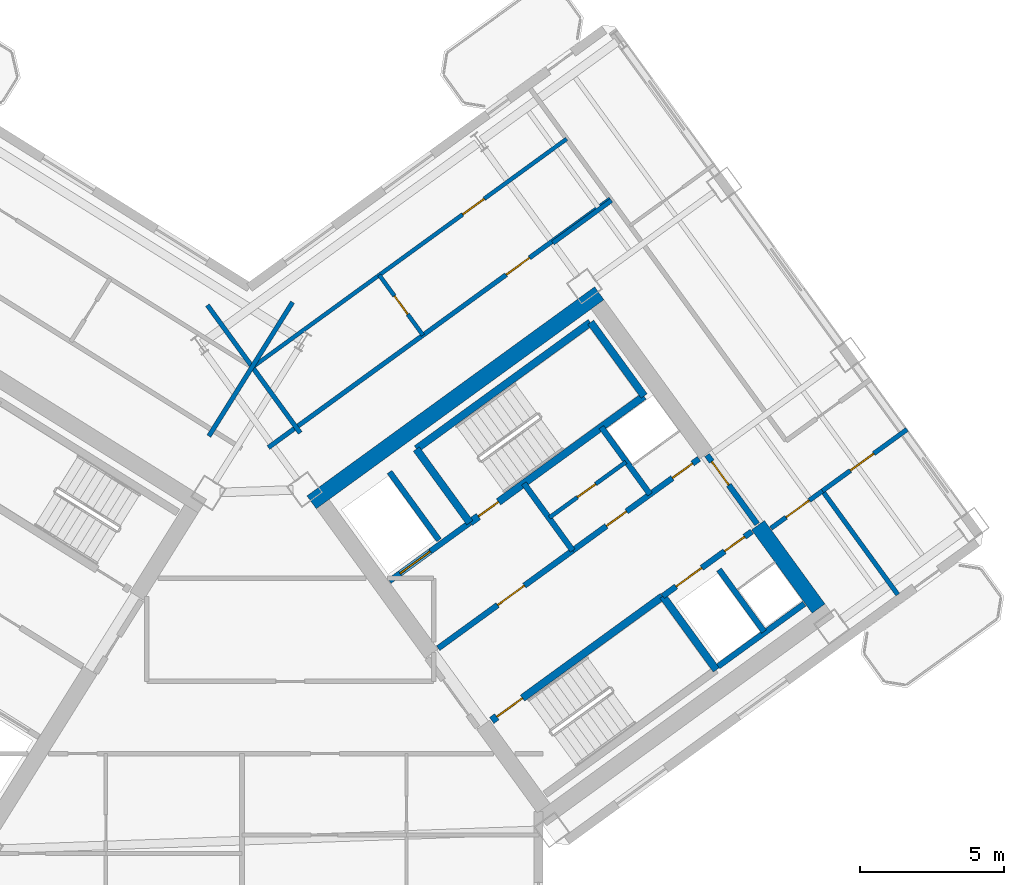
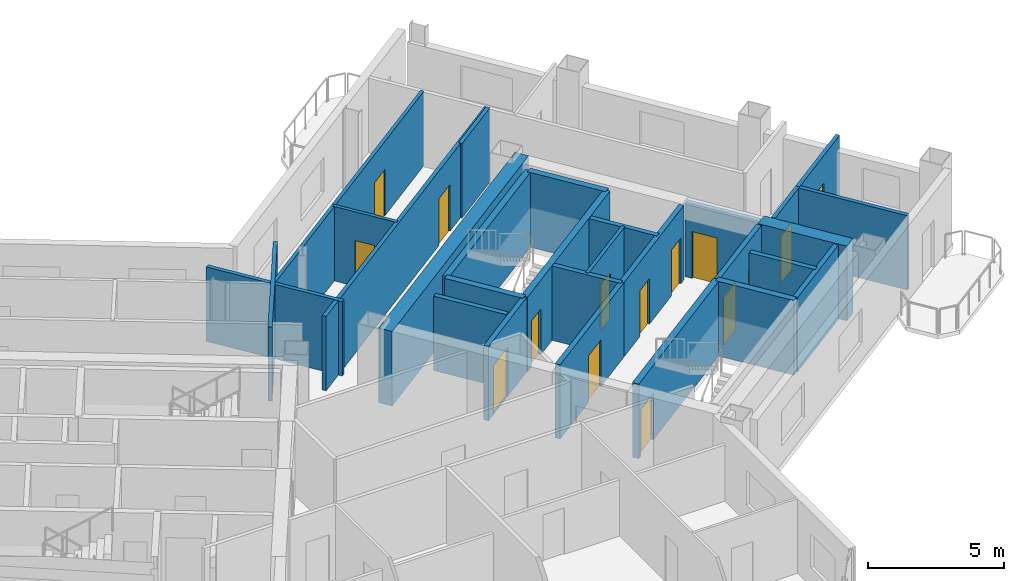
# One storey, part 14 of 20: 28 walls, 15 doors, 15 openings.
"""IFC4 building model written with IfcOpenShell, lengths in metres."""

from ifc_helpers import new_model, si_unit, direction, frame, frame_2d, origin, place, context, subcontext, project, spatial, rectangle, extrude, source, transform, mapped, material, layer, layer_set, type_object, element, fill, save


model = new_model("IFC4")

# Units and contexts
model_context = context("Model", 3, precision=1e-05, world=origin(), true_north=direction((0.0, 1.0)))
body_context = subcontext(model_context, "Body", "Model", "MODEL_VIEW")
ifc_project = project(units=[si_unit("LENGTHUNIT", "METRE"), si_unit("AREAUNIT", "SQUARE_METRE"), si_unit("VOLUMEUNIT", "CUBIC_METRE"), si_unit("PLANEANGLEUNIT", "RADIAN"), si_unit("MASSUNIT", "GRAM", prefix="KILO")], contexts=[model_context])

# Site, building, storey
site_placement = place(None, origin())
site = spatial("IfcSite", under=ifc_project, at=site_placement, CompositionType="ELEMENT")
building_placement = place(site_placement, origin())
building = spatial("IfcBuilding", under=site, at=building_placement, Name="Tlacorven Tower", CompositionType="ELEMENT")
storey_placement = place(building_placement, frame((0.0, 0.0, 116.10009765625)))
storey = spatial("IfcBuildingStorey", under=building, at=storey_placement, Name="L29", CompositionType="ELEMENT", Elevation=116.10009765625)

# Walls
ifc_material_1 = material(Name="Concrete C60/75", Category="concrete")
ifc_layer_1 = layer(ifc_material_1, 0.550048828125)
ifc_layer_set_1 = layer_set([ifc_layer_1], Name="Concrete C60/75")
wall_type_1 = type_object("IfcWallType", Name="WL-COR-550", PredefinedType="SHEAR", material=ifc_layer_set_1)
wall_1_placement = place(storey_placement, frame((44.364990234375, 24.142333984375, 0.0), z_axis=(0.0, 0.0, 1.0), x_axis=(0.809024304885, 0.587775190107, 0.0)))
element("IfcWall", 1, at=wall_1_placement, inside=storey, type_object=wall_type_1, Name="L29 E core shear wall S2", PredefinedType="SHEAR", context=body_context, shape_type="SweptSolid", body=[
    extrude(rectangle(XDim=12.340087890625, YDim=0.550048828125, at=frame_2d((6.169921875, 0.0))), origin(), (0.0, 0.0, 1.0), 3.349853515625),
])
wall_2_placement = place(storey_placement, frame((61.9580078125, 20.453857421875, 0.0), z_axis=(0.0, 0.0, 1.0), x_axis=(-0.587802113096, 0.809004744015, 0.0)))
element("IfcWall", 2, at=wall_2_placement, inside=storey, type_object=wall_type_1, Name="L29 E core end wall E2.1", PredefinedType="SHEAR", context=body_context, shape_type="SweptSolid", body=[
    extrude(rectangle(XDim=3.574951171875, YDim=0.550048828125, at=frame_2d((1.78759765625, 0.0))), origin(), (0.0, 0.0, 1.0), 3.349853515625),
])
ifc_material_2 = material(Name="Gypsum plasterboard acoustic partition", Category="gypsum")
ifc_layer_2 = layer(ifc_material_2, 0.159912109375)
ifc_layer_set_2 = layer_set([ifc_layer_2], Name="Gypsum plasterboard acoustic partition")
wall_type_2 = type_object("IfcWallType", Name="WL-DEM-160", PredefinedType="PARTITIONING", material=ifc_layer_set_2)
wall_3_placement = place(storey_placement, frame((43.70361328125, 31.086181640625, 0.0), z_axis=(0.0, 0.0, 1.0), x_axis=(-0.529906828443, -0.848055866774, 0.0)))
element("IfcWall", 3, at=wall_3_placement, inside=storey, type_object=wall_type_2, Name="L29 WC West Throat Wall", PredefinedType="PARTITIONING", context=body_context, shape_type="SweptSolid", body=[
    extrude(rectangle(XDim=5.479736328125, YDim=0.159912109375, at=frame_2d((2.73974609375, 0.0))), origin(), (0.0, 0.0, 1.0), 3.33984375),
])

# Wall, opening, door
wall_4_placement = place(storey_placement, frame((60.306884765625, 23.240478515625, 0.0), z_axis=(0.0, 0.0, 1.0), x_axis=(0.80898466188, 0.58782975158, 0.0)))
wall_4 = element("IfcWall", 4, at=wall_4_placement, inside=storey, type_object=wall_type_2, Name="L29 partition 87", PredefinedType="PARTITIONING", context=body_context, shape_type="SweptSolid", body=[
    extrude(rectangle(XDim=2.207763671875, YDim=0.159912109375, at=frame_2d((1.10400390625, 0.0))), origin(), (0.0, 0.0, 1.0), 3.33984375),
])
opening_1_placement = place(wall_4_placement, frame((0.64794921875, 0.0, 0.0)))
opening_1 = element("IfcOpeningElement", 5, at=opening_1_placement, cuts=wall_4, Name="Opening D11", PredefinedType="OPENING", context=body_context, shape_type="SweptSolid", body=[
    extrude(rectangle(XDim=1.0, YDim=2.10009765625, at=frame_2d((0.5, 1.050048828125))), frame((0.0, 0.08984375, 0.0), z_axis=(0.0, -1.0, 0.0), x_axis=(1.0, 0.0, 0.0)), (0.0, 0.0, 1.0), 0.179931640625),
])
ifc_material_3 = material(Name="Fire-rated steel door assembly", Category="steel")
door_type_1 = type_object("IfcDoorType", Name="DR-FLT-FD60-1000", OperationType="NOTDEFINED", PredefinedType="DOOR", material=ifc_material_3)
shared_shape_1 = source(origin(), body_context, "Body", "SweptSolid", [
    extrude(rectangle(XDim=1.0, YDim=2.10009765625, at=frame_2d((0.5, 1.050048828125))), frame((0.0, 0.02490234375, 0.0), z_axis=(0.0, -1.0, 0.0), x_axis=(1.0, 0.0, 0.0)), (0.0, 0.0, 1.0), 0.050048828125),
])
door_1_placement = place(opening_1_placement, frame((1.0, 0.0, 0.0), z_axis=(0.0, 0.0, 1.0), x_axis=(-1.0, 0.0, 0.0)))
door_1 = element("IfcDoor", 6, at=door_1_placement, inside=storey, type_object=door_type_1, Name="L29 door 056", OperationType="SINGLE_SWING_RIGHT", OverallHeight=2.10009765625, OverallWidth=1.0, PredefinedType="DOOR", context=body_context, shape_type="MappedRepresentation", body=[
    mapped(shared_shape_1, transform((0.0, 0.0, 0.0), scale=1.0)),
])
fill(opening_1, door_1)

# Walls
wall_5_placement = place(storey_placement, frame((52.73876953125, 33.143310546875, 0.0), z_axis=(0.0, 0.0, 1.0), x_axis=(0.809000999347, 0.58780726693, 0.0)))
element("IfcWall", 7, at=wall_5_placement, inside=storey, type_object=wall_type_2, Name="L29 partition 88", PredefinedType="PARTITIONING", context=body_context, shape_type="SweptSolid", body=[
    extrude(rectangle(XDim=2.510009765625, YDim=0.159912109375, at=frame_2d((1.2548828125, 0.0))), origin(), (0.0, 0.0, 1.0), 3.33984375),
])
wall_6_placement = place(storey_placement, frame((64.708740234375, 20.93798828125, 0.0), z_axis=(0.0, 0.0, 1.0), x_axis=(-0.587773666605, 0.809025411743, 0.0)))
element("IfcWall", 8, at=wall_6_placement, inside=storey, type_object=wall_type_2, Name="L29 partition 89", PredefinedType="PARTITIONING", context=body_context, shape_type="SweptSolid", body=[
    extrude(rectangle(XDim=4.4501953125, YDim=0.159912109375, at=frame_2d((2.22509765625, 0.0))), origin(), (0.0, 0.0, 1.0), 3.33984375),
])

# Wall, opening, door
wall_7_placement = place(storey_placement, frame((62.093017578125, 24.538330078125, 0.0), z_axis=(0.0, 0.0, 1.0), x_axis=(0.809035546126, 0.58775971715, 0.0)))
wall_7 = element("IfcWall", 9, at=wall_7_placement, inside=storey, type_object=wall_type_2, Name="L29 partition 92", PredefinedType="PARTITIONING", context=body_context, shape_type="SweptSolid", body=[
    extrude(rectangle(XDim=3.6298828125, YDim=0.159912109375, at=frame_2d((1.81494140625, 0.0))), origin(), (0.0, 0.0, 1.0), 3.33984375),
])
opening_2_placement = place(wall_7_placement, frame((1.199951171875, 0.0, 0.0)))
opening_2 = element("IfcOpeningElement", 10, at=opening_2_placement, cuts=wall_7, Name="Opening D11", PredefinedType="OPENING", context=body_context, shape_type="SweptSolid", body=[
    extrude(rectangle(XDim=1.0, YDim=2.10009765625, at=frame_2d((0.5, 1.050048828125))), frame((0.0, 0.08984375, 0.0), z_axis=(0.0, -1.0, 0.0), x_axis=(1.0, 0.0, 0.0)), (0.0, 0.0, 1.0), 0.179931640625),
])
door_2_placement = place(opening_2_placement, frame((1.0, 0.0, 0.0), z_axis=(0.0, 0.0, 1.0), x_axis=(-1.0, 0.0, 0.0)))
door_2 = element("IfcDoor", 11, at=door_2_placement, inside=storey, type_object=door_type_1, Name="L29 door 060", OperationType="SINGLE_SWING_RIGHT", OverallHeight=2.10009765625, OverallWidth=1.0, PredefinedType="DOOR", context=body_context, shape_type="MappedRepresentation", body=[
    mapped(shared_shape_1, transform((0.0, 0.0, 0.0), scale=1.0)),
])
fill(opening_2, door_2)

wall_8_placement = place(storey_placement, frame((42.86572265625, 26.04443359375, 0.0), z_axis=(0.0, 0.0, 1.0), x_axis=(0.809020254154, 0.587780765566, 0.0)))
wall_8 = element("IfcWall", 12, at=wall_8_placement, inside=storey, type_object=wall_type_2, Name="L29 partition 95", PredefinedType="PARTITIONING", context=body_context, shape_type="SweptSolid", body=[
    extrude(rectangle(XDim=14.670166015625, YDim=0.159912109375, at=frame_2d((7.3349609375, 0.0))), origin(), (0.0, 0.0, 1.0), 3.33984375),
])
opening_3_placement = place(wall_8_placement, frame((10.199951171875, 0.0, 0.0)))
opening_3 = element("IfcOpeningElement", 13, at=opening_3_placement, cuts=wall_8, Name="Opening D11", PredefinedType="OPENING", context=body_context, shape_type="SweptSolid", body=[
    extrude(rectangle(XDim=1.0, YDim=2.10009765625, at=frame_2d((0.5, 1.050048828125))), frame((0.0, 0.08984375, 0.0), z_axis=(0.0, -1.0, 0.0), x_axis=(1.0, 0.0, 0.0)), (0.0, 0.0, 1.0), 0.179931640625),
])
door_3_placement = place(opening_3_placement, origin())
door_3 = element("IfcDoor", 14, at=door_3_placement, inside=storey, type_object=door_type_1, Name="L29 door 061", OperationType="SINGLE_SWING_LEFT", OverallHeight=2.10009765625, OverallWidth=1.0, PredefinedType="DOOR", context=body_context, shape_type="MappedRepresentation", body=[
    mapped(shared_shape_1, transform((0.0, 0.0, 0.0), scale=1.0)),
])
fill(opening_3, door_3)

# Wall
wall_9_placement = place(storey_placement, frame((43.969482421875, 26.549560546875, 0.0), z_axis=(0.0, 0.0, 1.0), x_axis=(-0.587776919386, 0.80902304852, 0.0)))
element("IfcWall", 15, at=wall_9_placement, inside=storey, type_object=wall_type_2, Name="L29 EC West Throat Wall", PredefinedType="PARTITIONING", context=body_context, shape_type="SweptSolid", body=[
    extrude(rectangle(XDim=5.47998046875, YDim=0.159912109375, at=frame_2d((2.739990234375, 0.0))), origin(), (0.0, 0.0, 1.0), 3.33984375),
])

# Wall, opening, door
ifc_material_4 = material(Name="Moisture-resistant gypsum plumbing wall", Category="gypsum")
ifc_layer_3 = layer(ifc_material_4, 0.139892578125)
ifc_layer_set_3 = layer_set([ifc_layer_3], Name="Moisture-resistant gypsum plumbing wall")
wall_type_3 = type_object("IfcWallType", Name="WL-PLM-140", PredefinedType="PLUMBINGWALL", material=ifc_layer_set_3)
wall_10_placement = place(storey_placement, frame((52.617919921875, 23.612060546875, 0.0), z_axis=(0.0, 0.0, 1.0), x_axis=(0.809009587469, 0.587795446889, 0.0)))
wall_10 = element("IfcWall", 16, at=wall_10_placement, inside=storey, type_object=wall_type_3, Name="L29 partition 41", PredefinedType="PLUMBINGWALL", context=body_context, shape_type="SweptSolid", body=[
    extrude(rectangle(XDim=3.280029296875, YDim=0.139892578125, at=frame_2d((1.64013671875, 0.0))), origin(), (0.0, 0.0, 1.0), 3.33984375),
])
opening_4_placement = place(wall_10_placement, frame((1.199951171875, 0.0, 0.0)))
opening_4 = element("IfcOpeningElement", 17, at=opening_4_placement, cuts=wall_10, Name="Opening D22", PredefinedType="OPENING", context=body_context, shape_type="SweptSolid", body=[
    extrude(rectangle(XDim=0.780029296875, YDim=2.050048828125, at=frame_2d((0.39013671875, 1.02490234375))), frame((0.0, 0.080078125, 0.0), z_axis=(0.0, -1.0, 0.0), x_axis=(1.0, 0.0, 0.0)), (0.0, 0.0, 1.0), 0.159912109375),
])
ifc_material_5 = material(Name="Powder-coated aluminium and timber door", Category="wood")
door_type_2 = type_object("IfcDoorType", Name="DR-INT-WET-0780", OperationType="NOTDEFINED", PredefinedType="DOOR", material=ifc_material_5)
shared_shape_2 = source(origin(), body_context, "Body", "SweptSolid", [
    extrude(rectangle(XDim=0.780029296875, YDim=2.050048828125, at=frame_2d((0.39013671875, 1.02490234375))), frame((0.0, 0.02490234375, 0.0), z_axis=(0.0, -1.0, 0.0), x_axis=(1.0, 0.0, 0.0)), (0.0, 0.0, 1.0), 0.050048828125),
])
door_4_placement = place(opening_4_placement, origin())
door_4 = element("IfcDoor", 18, at=door_4_placement, inside=storey, type_object=door_type_2, Name="L29 door 019", OperationType="SINGLE_SWING_RIGHT", OverallHeight=2.050048828125, OverallWidth=0.780029296875, PredefinedType="DOOR", context=body_context, shape_type="MappedRepresentation", body=[
    mapped(shared_shape_2, transform((0.0, 0.0, 0.0), scale=1.0)),
])
fill(opening_4, door_4)

wall_11_placement = place(storey_placement, frame((42.376708984375, 28.878173828125, 0.0), z_axis=(0.0, 0.0, 1.0), x_axis=(0.809020411523, 0.587780548963, 0.0)))
wall_11 = element("IfcWall", 19, at=wall_11_placement, inside=storey, type_object=wall_type_3, Name="L29 partition 97", PredefinedType="PLUMBINGWALL", context=body_context, shape_type="SweptSolid", body=[
    extrude(rectangle(XDim=13.39990234375, YDim=0.139892578125, at=frame_2d((6.699951171875, 0.0))), origin(), (0.0, 0.0, 1.0), 3.33984375),
])
opening_5_placement = place(wall_11_placement, frame((8.93994140625, 0.0, 0.0)))
opening_5 = element("IfcOpeningElement", 20, at=opening_5_placement, cuts=wall_11, Name="Opening D12", PredefinedType="OPENING", context=body_context, shape_type="SweptSolid", body=[
    extrude(rectangle(XDim=0.919921875, YDim=2.080078125, at=frame_2d((0.4599609375, 1.0400390625))), frame((0.0, 0.080078125, 0.0), z_axis=(0.0, -1.0, 0.0), x_axis=(1.0, 0.0, 0.0)), (0.0, 0.0, 1.0), 0.159912109375),
])
door_type_3 = type_object("IfcDoorType", Name="DR-INT-ROOM-0920", OperationType="NOTDEFINED", PredefinedType="DOOR", material=ifc_material_5)
shared_shape_3 = source(origin(), body_context, "Body", "SweptSolid", [
    extrude(rectangle(XDim=0.919921875, YDim=2.080078125, at=frame_2d((0.4599609375, 1.0400390625))), frame((0.0, 0.02490234375, 0.0), z_axis=(0.0, -1.0, 0.0), x_axis=(1.0, 0.0, 0.0)), (0.0, 0.0, 1.0), 0.050048828125),
])
door_5_placement = place(opening_5_placement, origin())
door_5 = element("IfcDoor", 21, at=door_5_placement, inside=storey, type_object=door_type_3, Name="L29 door 062", OperationType="SINGLE_SWING_RIGHT", OverallHeight=2.080078125, OverallWidth=0.919921875, PredefinedType="DOOR", context=body_context, shape_type="MappedRepresentation", body=[
    mapped(shared_shape_3, transform((0.0, 0.0, 0.0), scale=1.0)),
])
fill(opening_5, door_5)

wall_12_placement = place(storey_placement, frame((48.2294921875, 29.94140625, 0.0), z_axis=(0.0, 0.0, 1.0), x_axis=(-0.587772116736, 0.809026537752, 0.0)))
wall_12 = element("IfcWall", 22, at=wall_12_placement, inside=storey, type_object=wall_type_3, Name="L29 partition 98", PredefinedType="PLUMBINGWALL", context=body_context, shape_type="SweptSolid", body=[
    extrude(rectangle(XDim=2.579833984375, YDim=0.139892578125, at=frame_2d((1.2900390625, 0.0))), origin(), (0.0, 0.0, 1.0), 3.33984375),
])
opening_6_placement = place(wall_12_placement, frame((0.89990234375, 0.0, 0.0)))
opening_6 = element("IfcOpeningElement", 23, at=opening_6_placement, cuts=wall_12, Name="Opening D22", PredefinedType="OPENING", context=body_context, shape_type="SweptSolid", body=[
    extrude(rectangle(XDim=0.780029296875, YDim=2.050048828125, at=frame_2d((0.39013671875, 1.02490234375))), frame((0.0, 0.080078125, 0.0), z_axis=(0.0, -1.0, 0.0), x_axis=(1.0, 0.0, 0.0)), (0.0, 0.0, 1.0), 0.159912109375),
])
door_6_placement = place(opening_6_placement, origin())
door_6 = element("IfcDoor", 24, at=door_6_placement, inside=storey, type_object=door_type_2, Name="L29 door 063", OperationType="SINGLE_SWING_LEFT", OverallHeight=2.050048828125, OverallWidth=0.780029296875, PredefinedType="DOOR", context=body_context, shape_type="MappedRepresentation", body=[
    mapped(shared_shape_2, transform((0.0, 0.0, 0.0), scale=1.0)),
])
fill(opening_6, door_6)

ifc_material_6 = material(Name="Concrete C40/50", Category="concrete")
ifc_layer_4 = layer(ifc_material_6, 0.199951171875)
ifc_layer_set_4 = layer_set([ifc_layer_4], Name="Concrete C40/50")
wall_type_4 = type_object("IfcWallType", Name="WL-SHF-200", PredefinedType="STANDARD", material=ifc_layer_set_4)
wall_13_placement = place(storey_placement, frame((47.0654296875, 21.4072265625, 0.0), z_axis=(0.0, 0.0, 1.0), x_axis=(0.809032984992, 0.587763242466, 0.0)))
wall_13 = element("IfcWall", 25, at=wall_13_placement, inside=storey, type_object=wall_type_4, Name="L29 Core E Firefighting Lift Shaft Front Wall", PredefinedType="STANDARD", context=body_context, shape_type="SweptSolid", body=[
    extrude(rectangle(XDim=3.447998046875, YDim=0.199951171875, at=frame_2d((1.72412109375, 0.0))), origin(), (0.0, 0.0, 1.0), 3.33984375),
])
opening_7_placement = place(wall_13_placement, frame((0.4580078125, 0.0, 0.0)))
opening_7 = element("IfcOpeningElement", 26, at=opening_7_placement, cuts=wall_13, Name="Opening LD03", PredefinedType="OPENING", context=body_context, shape_type="SweptSolid", body=[
    extrude(rectangle(XDim=1.300048828125, YDim=2.199951171875, at=frame_2d((0.64990234375, 1.10009765625))), frame((0.0, 0.10986328125, 0.0), z_axis=(0.0, -1.0, 0.0), x_axis=(1.0, 0.0, 0.0)), (0.0, 0.0, 1.0), 0.219970703125),
])
door_type_4 = type_object("IfcDoorType", Name="DR-LFT-SLID-1300", OperationType="DOUBLE_DOOR_SLIDING", PredefinedType="DOOR", material=ifc_material_3)
shared_shape_4 = source(origin(), body_context, "Body", "SweptSolid", [
    extrude(rectangle(XDim=1.300048828125, YDim=2.199951171875, at=frame_2d((0.64990234375, 1.10009765625))), frame((0.0, 0.02490234375, 0.0), z_axis=(0.0, -1.0, 0.0), x_axis=(1.0, 0.0, 0.0)), (0.0, 0.0, 1.0), 0.050048828125),
])
door_7_placement = place(opening_7_placement, origin())
door_7 = element("IfcDoor", 27, at=door_7_placement, inside=storey, type_object=door_type_4, Name="L29 Lift FFL-E1 Sliding Landing Door", OperationType="DOUBLE_DOOR_SLIDING", OverallHeight=2.199951171875, OverallWidth=1.300048828125, PredefinedType="DOOR", context=body_context, shape_type="MappedRepresentation", body=[
    mapped(shared_shape_4, transform((0.0, 0.0, 0.0), scale=1.0)),
])
fill(opening_7, door_7)

wall_14_placement = place(storey_placement, frame((48.75830078125, 19.0771484375, 0.0), z_axis=(0.0, 0.0, 1.0), x_axis=(0.809005065155, 0.587801671104, 0.0)))
wall_14 = element("IfcWall", 28, at=wall_14_placement, inside=storey, type_object=wall_type_4, Name="L29 Core E Smoke Lobby Wall", PredefinedType="STANDARD", context=body_context, shape_type="SweptSolid", body=[
    extrude(rectangle(XDim=5.767822265625, YDim=0.199951171875, at=frame_2d((2.8837890625, 0.0))), origin(), (0.0, 0.0, 1.0), 3.33984375),
])
opening_8_placement = place(wall_14_placement, frame((2.548095703125, 0.0, 0.0)))
opening_8 = element("IfcOpeningElement", 29, at=opening_8_placement, cuts=wall_14, Name="Opening D09", PredefinedType="OPENING", context=body_context, shape_type="SweptSolid", body=[
    extrude(rectangle(XDim=1.14990234375, YDim=2.10009765625, at=frame_2d((0.574951171875, 1.050048828125))), frame((0.0, 0.10986328125, 0.0), z_axis=(0.0, -1.0, 0.0), x_axis=(1.0, 0.0, 0.0)), (0.0, 0.0, 1.0), 0.219970703125),
])
door_type_5 = type_object("IfcDoorType", Name="DR-FFL-FD60-1150", OperationType="NOTDEFINED", PredefinedType="DOOR", material=ifc_material_3)
shared_shape_5 = source(origin(), body_context, "Body", "SweptSolid", [
    extrude(rectangle(XDim=1.14990234375, YDim=2.10009765625, at=frame_2d((0.574951171875, 1.050048828125))), frame((0.0, 0.02490234375, 0.0), z_axis=(0.0, -1.0, 0.0), x_axis=(1.0, 0.0, 0.0)), (0.0, 0.0, 1.0), 0.050048828125),
])
door_8_placement = place(opening_8_placement, origin())
door_8 = element("IfcDoor", 30, at=door_8_placement, inside=storey, type_object=door_type_5, Name="L29 Firefighting Lobby E Fire Door", OperationType="SINGLE_SWING_RIGHT", OverallHeight=2.10009765625, OverallWidth=1.14990234375, PredefinedType="DOOR", context=body_context, shape_type="MappedRepresentation", body=[
    mapped(shared_shape_5, transform((0.0, 0.0, 0.0), scale=1.0)),
])
fill(opening_8, door_8)

# Wall, openings, doors
wall_15_placement = place(storey_placement, frame((56.552978515625, 20.884033203125, 0.0), z_axis=(0.0, 0.0, 1.0), x_axis=(0.809023564264, 0.58777620951, 0.0)))
wall_15 = element("IfcWall", 31, at=wall_15_placement, inside=storey, type_object=wall_type_4, Name="L29 Core E South Lift Shaft Wall", PredefinedType="STANDARD", context=body_context, shape_type="SweptSolid", body=[
    extrude(rectangle(XDim=3.818115234375, YDim=0.199951171875, at=frame_2d((1.9091796875, 0.0))), origin(), (0.0, 0.0, 1.0), 3.33984375),
])
opening_9_placement = place(wall_15_placement, frame((0.570068359375, 0.0, 0.0)))
opening_9 = element("IfcOpeningElement", 32, at=opening_9_placement, cuts=wall_15, Name="Opening LD01", PredefinedType="OPENING", context=body_context, shape_type="SweptSolid", body=[
    extrude(rectangle(XDim=1.10009765625, YDim=2.14990234375, at=frame_2d((0.550048828125, 1.074951171875))), frame((0.0, 0.10986328125, 0.0), z_axis=(0.0, -1.0, 0.0), x_axis=(1.0, 0.0, 0.0)), (0.0, 0.0, 1.0), 0.219970703125),
])
opening_10_placement = place(wall_15_placement, frame((2.64990234375, 0.0, 0.0)))
opening_10 = element("IfcOpeningElement", 33, at=opening_10_placement, cuts=wall_15, Name="Opening D19", PredefinedType="OPENING", context=body_context, shape_type="SweptSolid", body=[
    extrude(rectangle(XDim=0.860107421875, YDim=2.050048828125, at=frame_2d((0.43017578125, 1.02490234375))), frame((0.0, 0.10986328125, 0.0), z_axis=(0.0, -1.0, 0.0), x_axis=(1.0, 0.0, 0.0)), (0.0, 0.0, 1.0), 0.219970703125),
])
door_type_6 = type_object("IfcDoorType", Name="DR-RSR-FD60-0860", OperationType="NOTDEFINED", PredefinedType="DOOR", material=ifc_material_3)
shared_shape_6 = source(origin(), body_context, "Body", "SweptSolid", [
    extrude(rectangle(XDim=0.860107421875, YDim=2.050048828125, at=frame_2d((0.43017578125, 1.02490234375))), frame((0.0, 0.02490234375, 0.0), z_axis=(0.0, -1.0, 0.0), x_axis=(1.0, 0.0, 0.0)), (0.0, 0.0, 1.0), 0.050048828125),
])
door_9_placement = place(opening_10_placement, origin())
door_9 = element("IfcDoor", 34, at=door_9_placement, inside=storey, type_object=door_type_6, Name="L29 Smoke Extract Riser Access Door", OperationType="SINGLE_SWING_LEFT", OverallHeight=2.050048828125, OverallWidth=0.860107421875, PredefinedType="DOOR", context=body_context, shape_type="MappedRepresentation", body=[
    mapped(shared_shape_6, transform((0.0, 0.0, 0.0), scale=1.0)),
])
fill(opening_10, door_9)
door_type_7 = type_object("IfcDoorType", Name="DR-LFT-SLID-1100", OperationType="DOUBLE_DOOR_SLIDING", PredefinedType="DOOR", material=ifc_material_3)
shared_shape_7 = source(origin(), body_context, "Body", "SweptSolid", [
    extrude(rectangle(XDim=1.10009765625, YDim=2.14990234375, at=frame_2d((0.550048828125, 1.074951171875))), frame((0.0, 0.02490234375, 0.0), z_axis=(0.0, -1.0, 0.0), x_axis=(1.0, 0.0, 0.0)), (0.0, 0.0, 1.0), 0.050048828125),
])
door_10_placement = place(opening_9_placement, origin())
door_10 = element("IfcDoor", 35, at=door_10_placement, inside=storey, type_object=door_type_7, Name="L29 Lift PL-M4 Sliding Landing Door", OperationType="DOUBLE_DOOR_SLIDING", OverallHeight=2.14990234375, OverallWidth=1.10009765625, PredefinedType="DOOR", context=body_context, shape_type="MappedRepresentation", body=[
    mapped(shared_shape_7, transform((0.0, 0.0, 0.0), scale=1.0)),
])
fill(opening_9, door_10)

# Walls
wall_16_placement = place(storey_placement, frame((48.78564453125, 22.830078125, 0.0), z_axis=(0.0, 0.0, 1.0), x_axis=(-0.587783856777, 0.809018008275, 0.0)))
element("IfcWall", 36, at=wall_16_placement, inside=storey, type_object=wall_type_4, Name="L29 partition 33", PredefinedType="STANDARD", context=body_context, shape_type="SweptSolid", body=[
    extrude(rectangle(XDim=2.919921875, YDim=0.199951171875, at=frame_2d((1.4599609375, 0.0))), origin(), (0.0, 0.0, 1.0), 3.33984375),
])
wall_17_placement = place(storey_placement, frame((60.066650390625, 19.654541015625, 0.0), z_axis=(0.0, 0.0, 1.0), x_axis=(-0.587800520745, 0.809005900975, 0.0)))
element("IfcWall", 37, at=wall_17_placement, inside=storey, type_object=wall_type_4, Name="L29 partition 34", PredefinedType="STANDARD", context=body_context, shape_type="SweptSolid", body=[
    extrude(rectangle(XDim=2.659912109375, YDim=0.199951171875, at=frame_2d((1.330078125, 0.0))), origin(), (0.0, 0.0, 1.0), 3.33984375),
])
wall_18_placement = place(storey_placement, frame((58.47216796875, 18.446533203125, 0.0), z_axis=(0.0, 0.0, 1.0), x_axis=(0.809018631237, 0.587782999339, 0.0)))
element("IfcWall", 38, at=wall_18_placement, inside=storey, type_object=wall_type_4, Name="L29 partition 36", PredefinedType="STANDARD", context=body_context, shape_type="SweptSolid", body=[
    extrude(rectangle(XDim=3.697998046875, YDim=0.199951171875, at=frame_2d((1.84912109375, 0.0))), origin(), (0.0, 0.0, 1.0), 3.33984375),
])
wall_19_placement = place(storey_placement, frame((53.424560546875, 22.467529296875, 0.0), z_axis=(0.0, 0.0, 1.0), x_axis=(-0.5877230039, 0.809062216821, 0.0)))
element("IfcWall", 39, at=wall_19_placement, inside=storey, type_object=wall_type_4, Name="L29 partition 38", PredefinedType="STANDARD", context=body_context, shape_type="SweptSolid", body=[
    extrude(rectangle(XDim=2.8798828125, YDim=0.199951171875, at=frame_2d((1.43994140625, 0.0))), origin(), (0.0, 0.0, 1.0), 3.33984375),
])
wall_20_placement = place(storey_placement, frame((56.110595703125, 24.4189453125, 0.0), z_axis=(0.0, 0.0, 1.0), x_axis=(-0.58777848983, 0.809021907548, 0.0)))
element("IfcWall", 40, at=wall_20_placement, inside=storey, type_object=wall_type_4, Name="L29 partition 39", PredefinedType="STANDARD", context=body_context, shape_type="SweptSolid", body=[
    extrude(rectangle(XDim=2.880126953125, YDim=0.199951171875, at=frame_2d((1.43994140625, 0.0))), origin(), (0.0, 0.0, 1.0), 3.33984375),
])

# Wall, openings, doors
wall_21_placement = place(storey_placement, frame((53.424560546875, 22.467529296875, 0.0), z_axis=(0.0, 0.0, 1.0), x_axis=(0.809024377198, 0.587775090574, 0.0)))
wall_21 = element("IfcWall", 41, at=wall_21_placement, inside=storey, type_object=wall_type_4, Name="L29 Core E North Service Wall", PredefinedType="STANDARD", context=body_context, shape_type="SweptSolid", body=[
    extrude(rectangle(XDim=5.41796875, YDim=0.199951171875, at=frame_2d((2.708984375, 0.0))), origin(), (0.0, 0.0, 1.0), 3.33984375),
])
opening_11_placement = place(wall_21_placement, frame((4.280029296875, 0.0, 0.0)))
opening_11 = element("IfcOpeningElement", 42, at=opening_11_placement, cuts=wall_21, Name="Opening D19", PredefinedType="OPENING", context=body_context, shape_type="SweptSolid", body=[
    extrude(rectangle(XDim=0.860107421875, YDim=2.050048828125, at=frame_2d((0.43017578125, 1.02490234375))), frame((0.0, 0.10986328125, 0.0), z_axis=(0.0, -1.0, 0.0), x_axis=(1.0, 0.0, 0.0)), (0.0, 0.0, 1.0), 0.219970703125),
])
opening_12_placement = place(wall_21_placement, frame((1.449951171875, 0.0, 0.0)))
opening_12 = element("IfcOpeningElement", 43, at=opening_12_placement, cuts=wall_21, Name="Opening D19", PredefinedType="OPENING", context=body_context, shape_type="SweptSolid", body=[
    extrude(rectangle(XDim=0.860107421875, YDim=2.050048828125, at=frame_2d((0.43017578125, 1.02490234375))), frame((0.0, 0.10986328125, 0.0), z_axis=(0.0, -1.0, 0.0), x_axis=(1.0, 0.0, 0.0)), (0.0, 0.0, 1.0), 0.219970703125),
])
door_11_placement = place(opening_11_placement, frame((0.860107421875, 0.0, 0.0), z_axis=(0.0, 0.0, 1.0), x_axis=(-1.0, 0.0, 0.0)))
door_11 = element("IfcDoor", 44, at=door_11_placement, inside=storey, type_object=door_type_6, Name="L29 Electrical Riser Access Door E", OperationType="SINGLE_SWING_RIGHT", OverallHeight=2.050048828125, OverallWidth=0.860107421875, PredefinedType="DOOR", context=body_context, shape_type="MappedRepresentation", body=[
    mapped(shared_shape_6, transform((0.0, 0.0, 0.0), scale=1.0)),
])
fill(opening_11, door_11)
door_12_placement = place(opening_12_placement, frame((0.860107421875, 0.0, 0.0), z_axis=(0.0, 0.0, 1.0), x_axis=(-1.0, 0.0, 0.0)))
door_12 = element("IfcDoor", 45, at=door_12_placement, inside=storey, type_object=door_type_6, Name="L29 Cleaner Store Access Door E", OperationType="SINGLE_SWING_LEFT", OverallHeight=2.050048828125, OverallWidth=0.860107421875, PredefinedType="DOOR", context=body_context, shape_type="MappedRepresentation", body=[
    mapped(shared_shape_6, transform((0.0, 0.0, 0.0), scale=1.0)),
])
fill(opening_12, door_12)

# Wall, opening, door
wall_22_placement = place(storey_placement, frame((59.827392578125, 23.386474609375, 0.0), z_axis=(0.0, 0.0, 1.0), x_axis=(-0.587803840107, 0.809003489211, 0.0)))
wall_22 = element("IfcWall", 46, at=wall_22_placement, inside=storey, type_object=wall_type_4, Name="L29 partition 86", PredefinedType="STANDARD", context=body_context, shape_type="SweptSolid", body=[
    extrude(rectangle(XDim=2.960205078125, YDim=0.199951171875, at=frame_2d((1.47998046875, 0.0))), origin(), (0.0, 0.0, 1.0), 3.33984375),
])
opening_13_placement = place(wall_22_placement, frame((1.679931640625, 0.0, 0.0)))
opening_13 = element("IfcOpeningElement", 47, at=opening_13_placement, cuts=wall_22, Name="Opening D11", PredefinedType="OPENING", context=body_context, shape_type="SweptSolid", body=[
    extrude(rectangle(XDim=1.0, YDim=2.10009765625, at=frame_2d((0.5, 1.050048828125))), frame((0.0, 0.10986328125, 0.0), z_axis=(0.0, -1.0, 0.0), x_axis=(1.0, 0.0, 0.0)), (0.0, 0.0, 1.0), 0.219970703125),
])
door_13_placement = place(opening_13_placement, origin())
door_13 = element("IfcDoor", 48, at=door_13_placement, inside=storey, type_object=door_type_1, Name="L29 door 057", OperationType="SINGLE_SWING_LEFT", OverallHeight=2.10009765625, OverallWidth=1.0, PredefinedType="DOOR", context=body_context, shape_type="MappedRepresentation", body=[
    mapped(shared_shape_1, transform((0.0, 0.0, 0.0), scale=1.0)),
])
fill(opening_13, door_13)

# Wall
ifc_material_7 = material(Name="Concrete C50/60", Category="concrete")
ifc_layer_5 = layer(ifc_material_7, 0.260009765625)
ifc_layer_set_5 = layer_set([ifc_layer_5], Name="Concrete C50/60")
wall_type_5 = type_object("IfcWallType", Name="WL-STW-260", PredefinedType="SHEAR", material=ifc_layer_set_5)
wall_23_placement = place(storey_placement, frame((48.005615234375, 25.996337890625, 0.0), z_axis=(0.0, 0.0, 1.0), x_axis=(0.80901903764, 0.587782439969, 0.0)))
element("IfcWall", 49, at=wall_23_placement, inside=storey, type_object=wall_type_5, Name="L29 Stair E1 Far Shear Wall", PredefinedType="SHEAR", context=body_context, shape_type="SweptSolid", body=[
    extrude(rectangle(XDim=7.4599609375, YDim=0.260009765625, at=frame_2d((3.72998046875, 0.0))), origin(), (0.0, 0.0, 1.0), 3.349853515625),
])

# Wall, opening, door
wall_24_placement = place(storey_placement, frame((49.863037109375, 23.439697265625, 0.0), z_axis=(0.0, 0.0, 1.0), x_axis=(0.809003474932, 0.587803859759, 0.0)))
wall_24 = element("IfcWall", 50, at=wall_24_placement, inside=storey, type_object=wall_type_5, Name="L29 Stair E1 Lobby Shear Wall", PredefinedType="SHEAR", context=body_context, shape_type="SweptSolid", body=[
    extrude(rectangle(XDim=7.4599609375, YDim=0.260009765625, at=frame_2d((3.72998046875, 0.0))), origin(), (0.0, 0.0, 1.0), 3.349853515625),
])
opening_14_placement = place(wall_24_placement, frame((0.360107421875, 0.0, 0.0)))
opening_14 = element("IfcOpeningElement", 51, at=opening_14_placement, cuts=wall_24, Name="Opening D19", PredefinedType="OPENING", context=body_context, shape_type="SweptSolid", body=[
    extrude(rectangle(XDim=0.860107421875, YDim=2.050048828125, at=frame_2d((0.43017578125, 1.02490234375))), frame((0.0, 0.14013671875, 0.0), z_axis=(0.0, -1.0, 0.0), x_axis=(1.0, 0.0, 0.0)), (0.0, 0.0, 1.0), 0.280029296875),
])
door_14_placement = place(opening_14_placement, frame((0.860107421875, 0.0, 0.0), z_axis=(0.0, 0.0, 1.0), x_axis=(-1.0, 0.0, 0.0)))
door_14 = element("IfcDoor", 52, at=door_14_placement, inside=storey, type_object=door_type_6, Name="L29 Exit Stair E1 Fire Door", OperationType="SINGLE_SWING_LEFT", OverallHeight=2.050048828125, OverallWidth=0.860107421875, PredefinedType="DOOR", context=body_context, shape_type="MappedRepresentation", body=[
    mapped(shared_shape_6, transform((0.0, 0.0, 0.0), scale=1.0)),
])
fill(opening_14, door_14)

# Walls
wall_25_placement = place(storey_placement, frame((49.85498046875, 23.433837890625, 0.0), z_axis=(0.0, 0.0, 1.0), x_axis=(-0.58776738483, 0.809029975545, 0.0)))
element("IfcWall", 53, at=wall_25_placement, inside=storey, type_object=wall_type_5, Name="L29 Stair E1 West Shear Wall", PredefinedType="SHEAR", context=body_context, shape_type="SweptSolid", body=[
    extrude(rectangle(XDim=3.16015625, YDim=0.260009765625, at=frame_2d((1.580078125, 0.0))), origin(), (0.0, 0.0, 1.0), 3.349853515625),
])
wall_26_placement = place(storey_placement, frame((55.906494140625, 27.83056640625, 0.0), z_axis=(0.0, 0.0, 1.0), x_axis=(-0.587804123638, 0.809003283204, 0.0)))
element("IfcWall", 54, at=wall_26_placement, inside=storey, type_object=wall_type_5, Name="L29 Stair E1 East Shear Wall", PredefinedType="SHEAR", context=body_context, shape_type="SweptSolid", body=[
    extrude(rectangle(XDim=3.159912109375, YDim=0.260009765625, at=frame_2d((1.580078125, 0.0))), origin(), (0.0, 0.0, 1.0), 3.349853515625),
])

# Wall, opening, door
wall_27_placement = place(storey_placement, frame((50.61474609375, 16.569580078125, 0.0), z_axis=(0.0, 0.0, 1.0), x_axis=(0.809028366311, 0.587769599847, 0.0)))
wall_27 = element("IfcWall", 55, at=wall_27_placement, inside=storey, type_object=wall_type_5, Name="L29 Stair E2 Lobby Shear Wall", PredefinedType="SHEAR", context=body_context, shape_type="SweptSolid", body=[
    extrude(rectangle(XDim=7.330078125, YDim=0.260009765625, at=frame_2d((3.6650390625, 0.0))), origin(), (0.0, 0.0, 1.0), 3.349853515625),
])
opening_15_placement = place(wall_27_placement, frame((0.219970703125, 0.0, 0.0)))
opening_15 = element("IfcOpeningElement", 56, at=opening_15_placement, cuts=wall_27, Name="Opening D07", PredefinedType="OPENING", context=body_context, shape_type="SweptSolid", body=[
    extrude(rectangle(XDim=1.10009765625, YDim=2.10009765625, at=frame_2d((0.550048828125, 1.050048828125))), frame((0.0, 0.14013671875, 0.0), z_axis=(0.0, -1.0, 0.0), x_axis=(1.0, 0.0, 0.0)), (0.0, 0.0, 1.0), 0.280029296875),
])
door_type_8 = type_object("IfcDoorType", Name="DR-STR-FD90-1100", OperationType="NOTDEFINED", PredefinedType="DOOR", material=ifc_material_3)
shared_shape_8 = source(origin(), body_context, "Body", "SweptSolid", [
    extrude(rectangle(XDim=1.10009765625, YDim=2.10009765625, at=frame_2d((0.550048828125, 1.050048828125))), frame((0.0, 0.02490234375, 0.0), z_axis=(0.0, -1.0, 0.0), x_axis=(1.0, 0.0, 0.0)), (0.0, 0.0, 1.0), 0.050048828125),
])
door_15_placement = place(opening_15_placement, origin())
door_15 = element("IfcDoor", 57, at=door_15_placement, inside=storey, type_object=door_type_8, Name="L29 Exit Stair E2 Fire Door", OperationType="SINGLE_SWING_LEFT", OverallHeight=2.10009765625, OverallWidth=1.10009765625, PredefinedType="DOOR", context=body_context, shape_type="MappedRepresentation", body=[
    mapped(shared_shape_8, transform((0.0, 0.0, 0.0), scale=1.0)),
])
fill(opening_15, door_15)

# Wall
wall_28_placement = place(storey_placement, frame((58.410400390625, 18.327392578125, 0.0), z_axis=(0.0, 0.0, 1.0), x_axis=(-0.58776738483, 0.809029975545, 0.0)))
element("IfcWall", 58, at=wall_28_placement, inside=storey, type_object=wall_type_5, Name="L29 Stair E2 East Shear Wall", PredefinedType="SHEAR", context=body_context, shape_type="SweptSolid", body=[
    extrude(rectangle(XDim=3.16015625, YDim=0.260009765625, at=frame_2d((1.580078125, 0.0))), origin(), (0.0, 0.0, 1.0), 3.349853515625),
])

save(model, "model.ifc")
